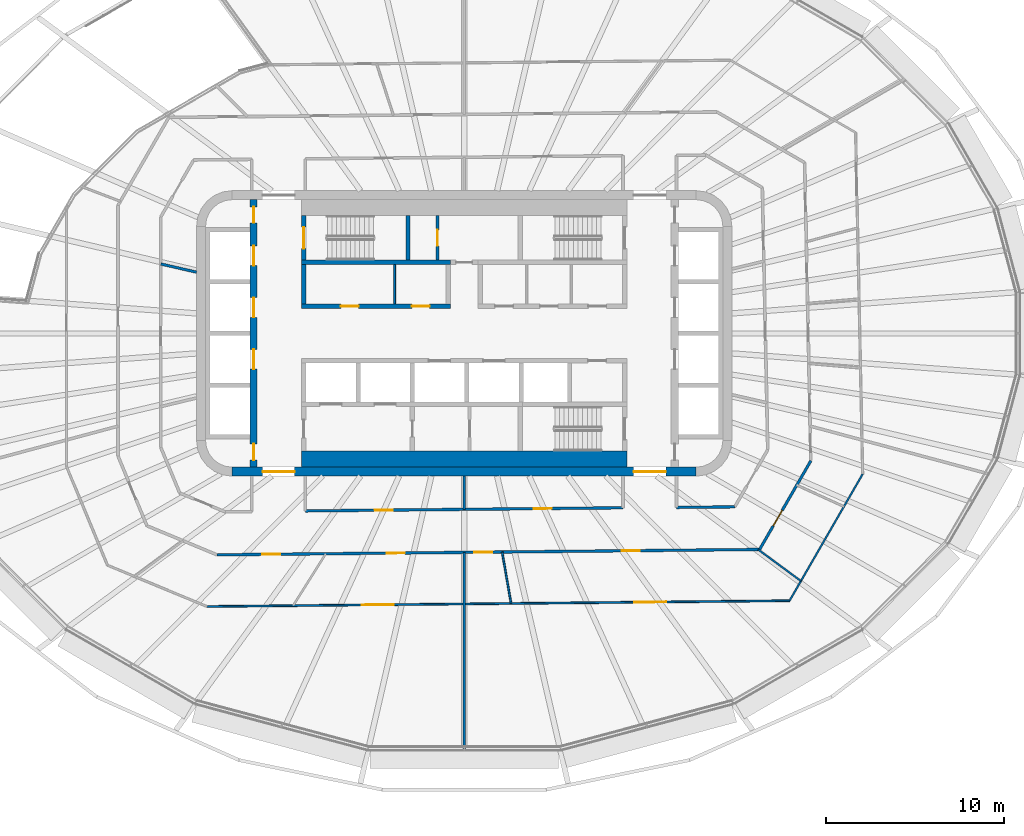
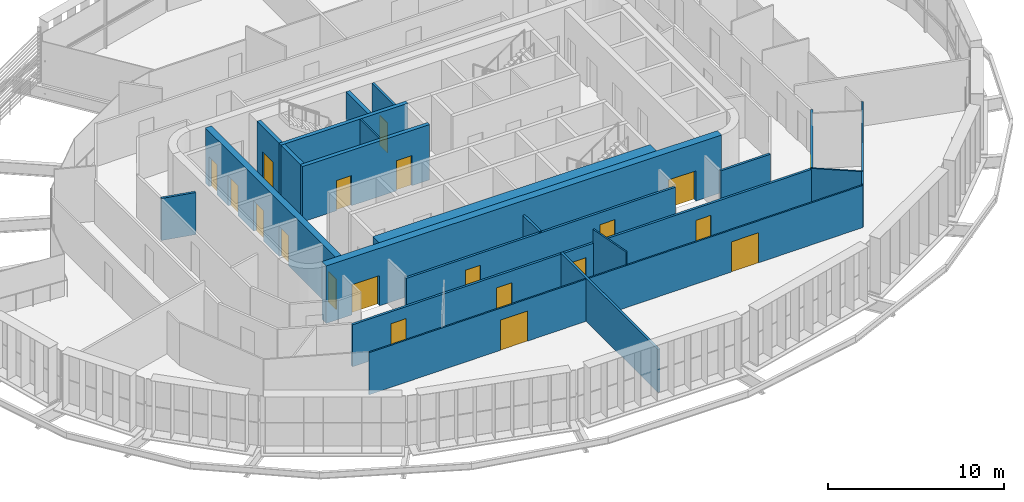
# One storey, part 12 of 23: 21 walls, 20 doors, 20 openings.
"""IFC4 building model written with IfcOpenShell, lengths in metres."""

from ifc_helpers import new_model, si_unit, direction, frame, frame_2d, origin, place, context, subcontext, project, spatial, rectangle, extrude, material, layer, layer_set, type_object, element, fill, save


model = new_model("IFC4")

# Units and contexts
model_context = context("Model", 3, precision=1e-05, world=origin(), true_north=direction((0.0, 1.0)))
body_context = subcontext(model_context, "Body", "Model", "MODEL_VIEW")
ifc_project = project(units=[si_unit("LENGTHUNIT", "METRE"), si_unit("AREAUNIT", "SQUARE_METRE"), si_unit("VOLUMEUNIT", "CUBIC_METRE"), si_unit("PLANEANGLEUNIT", "RADIAN"), si_unit("MASSUNIT", "GRAM", prefix="KILO")], contexts=[model_context])

# Site, building, storey
site_placement = place(None, origin())
site = spatial("IfcSite", under=ifc_project, at=site_placement, CompositionType="ELEMENT")
building_placement = place(site_placement, origin())
building = spatial("IfcBuilding", under=site, at=building_placement, Name="Sahrelin Media Tower", CompositionType="ELEMENT")
storey_placement = place(building_placement, frame((0.0, 0.0, 173.60009765625)))
storey = spatial("IfcBuildingStorey", under=building, at=storey_placement, Name="L36", CompositionType="ELEMENT", Elevation=173.60009765625)

# Wall, openings, doors
ifc_material_1 = material(Name="Concrete C60/75", Category="concrete")
ifc_layer_1 = layer(ifc_material_1, 0.5)
ifc_layer_set_1 = layer_set([ifc_layer_1], Name="Core wall 500")
wall_type_1 = type_object("IfcWallType", Name="Core wall 500", PredefinedType="SHEAR", material=ifc_layer_set_1)
wall_1_placement = place(storey_placement, frame((-13.0, -7.75, 0.0), z_axis=(0.0, 0.0, 1.0), x_axis=(1.0, 0.0, 0.0)))
wall_1 = element("IfcWall", 1, at=wall_1_placement, inside=storey, type_object=wall_type_1, Name="Core wall S L36", PredefinedType="SHEAR", context=body_context, shape_type="SweptSolid", body=[
    extrude(rectangle(XDim=26.0, YDim=0.5, at=frame_2d((13.0, 0.0))), origin(), (0.0, 0.0, 1.0), 4.0),
])
opening_1_placement = place(wall_1_placement, frame((1.699951171875, 0.0, 0.0)))
opening_1 = element("IfcOpeningElement", 2, at=opening_1_placement, cuts=wall_1, Name="Opening L36-D21", PredefinedType="OPENING", context=body_context, shape_type="SweptSolid", body=[
    extrude(rectangle(XDim=1.800048828125, YDim=2.10009765625, at=frame_2d((0.89990234375, 1.050048828125))), frame((0.0, 0.25, 0.0), z_axis=(0.0, -1.0, 0.0), x_axis=(1.0, 0.0, 0.0)), (0.0, 0.0, 1.0), 0.5),
])
opening_2_placement = place(wall_1_placement, frame((22.5, 0.0, 0.0)))
opening_2 = element("IfcOpeningElement", 3, at=opening_2_placement, cuts=wall_1, Name="Opening L36-D22", PredefinedType="OPENING", context=body_context, shape_type="SweptSolid", body=[
    extrude(rectangle(XDim=1.800048828125, YDim=2.10009765625, at=frame_2d((0.89990234375, 1.050048828125))), frame((0.0, 0.25, 0.0), z_axis=(0.0, -1.0, 0.0), x_axis=(1.0, 0.0, 0.0)), (0.0, 0.0, 1.0), 0.5),
])
ifc_material_2 = material(Name="Steel fire door leaf", Category="steel")
door_type_1 = type_object("IfcDoorType", Name="Lobby double door 1800 x 2100 EI 60", OperationType="DOUBLE_DOOR_SINGLE_SWING", PredefinedType="DOOR", material=ifc_material_2)
door_1_placement = place(opening_1_placement, origin())
door_1 = element("IfcDoor", 4, at=door_1_placement, inside=storey, type_object=door_type_1, Name="Lobby door", OperationType="DOUBLE_DOOR_SINGLE_SWING", OverallHeight=2.10009765625, OverallWidth=1.800048828125, PredefinedType="DOOR", context=body_context, shape_type="SweptSolid", body=[
    extrude(rectangle(XDim=1.800048828125, YDim=2.10009765625, at=frame_2d((0.89990234375, 1.050048828125))), frame((0.0, 0.02490234375, 0.0), z_axis=(0.0, -1.0, 0.0), x_axis=(1.0, 0.0, 0.0)), (0.0, 0.0, 1.0), 0.050048828125),
])
fill(opening_1, door_1)
door_2_placement = place(opening_2_placement, origin())
door_2 = element("IfcDoor", 5, at=door_2_placement, inside=storey, type_object=door_type_1, Name="Lobby door", OperationType="DOUBLE_DOOR_SINGLE_SWING", OverallHeight=2.10009765625, OverallWidth=1.800048828125, PredefinedType="DOOR", context=body_context, shape_type="SweptSolid", body=[
    extrude(rectangle(XDim=1.800048828125, YDim=2.10009765625, at=frame_2d((0.89990234375, 1.050048828125))), frame((0.0, 0.02490234375, 0.0), z_axis=(0.0, -1.0, 0.0), x_axis=(1.0, 0.0, 0.0)), (0.0, 0.0, 1.0), 0.050048828125),
])
fill(opening_2, door_2)

ifc_material_3 = material(Name="Fire-rated gypsum board partition")
ifc_layer_2 = layer(ifc_material_3, 0.25)
ifc_layer_set_2 = layer_set([ifc_layer_2], Name="Fire-rated lobby wall 250")
wall_type_2 = type_object("IfcWallType", Name="Fire-rated lobby wall 250", PredefinedType="PARTITIONING", material=ifc_layer_set_2)
wall_2_placement = place(storey_placement, frame((-9.125, 1.52490234375, 0.0), z_axis=(0.0, 0.0, 1.0), x_axis=(1.0, 0.0, 0.0)))
wall_2 = element("IfcWall", 6, at=wall_2_placement, inside=storey, type_object=wall_type_2, Name="Core lobby wall", PredefinedType="PARTITIONING", context=body_context, shape_type="SweptSolid", body=[
    extrude(rectangle(XDim=8.35009765625, YDim=0.25, at=frame_2d((4.175048828125, 0.0))), origin(), (0.0, 0.0, 1.0), 3.849853515625),
])
opening_3_placement = place(wall_2_placement, frame((2.21240234375, 0.0, 0.0)))
opening_3 = element("IfcOpeningElement", 7, at=opening_3_placement, cuts=wall_2, Name="Opening L36-D09", PredefinedType="OPENING", context=body_context, shape_type="SweptSolid", body=[
    extrude(rectangle(XDim=1.0, YDim=2.10009765625, at=frame_2d((0.5, 1.050048828125))), frame((0.0, 0.125, 0.0), z_axis=(0.0, -1.0, 0.0), x_axis=(1.0, 0.0, 0.0)), (0.0, 0.0, 1.0), 0.25),
])
opening_4_placement = place(wall_2_placement, frame((6.1875, 0.0, 0.0)))
opening_4 = element("IfcOpeningElement", 8, at=opening_4_placement, cuts=wall_2, Name="Opening L36-D10", PredefinedType="OPENING", context=body_context, shape_type="SweptSolid", body=[
    extrude(rectangle(XDim=1.0, YDim=2.10009765625, at=frame_2d((0.5, 1.050048828125))), frame((0.0, 0.125, 0.0), z_axis=(0.0, -1.0, 0.0), x_axis=(1.0, 0.0, 0.0)), (0.0, 0.0, 1.0), 0.25),
])
door_type_2 = type_object("IfcDoorType", Name="Fire door 1000 x 2100 EI 60", OperationType="NOTDEFINED", PredefinedType="DOOR", material=ifc_material_2)
door_3_placement = place(opening_3_placement, origin())
door_3 = element("IfcDoor", 9, at=door_3_placement, inside=storey, type_object=door_type_2, Name="Core room door", OperationType="SINGLE_SWING_LEFT", OverallHeight=2.10009765625, OverallWidth=1.0, PredefinedType="DOOR", context=body_context, shape_type="SweptSolid", body=[
    extrude(rectangle(XDim=1.0, YDim=2.10009765625, at=frame_2d((0.5, 1.050048828125))), frame((0.0, 0.02490234375, 0.0), z_axis=(0.0, -1.0, 0.0), x_axis=(1.0, 0.0, 0.0)), (0.0, 0.0, 1.0), 0.050048828125),
])
fill(opening_3, door_3)
door_4_placement = place(opening_4_placement, origin())
door_4 = element("IfcDoor", 10, at=door_4_placement, inside=storey, type_object=door_type_2, Name="Core room door", OperationType="SINGLE_SWING_LEFT", OverallHeight=2.10009765625, OverallWidth=1.0, PredefinedType="DOOR", context=body_context, shape_type="SweptSolid", body=[
    extrude(rectangle(XDim=1.0, YDim=2.10009765625, at=frame_2d((0.5, 1.050048828125))), frame((0.0, 0.02490234375, 0.0), z_axis=(0.0, -1.0, 0.0), x_axis=(1.0, 0.0, 0.0)), (0.0, 0.0, 1.0), 0.050048828125),
])
fill(opening_4, door_4)

# Walls
wall_3_placement = place(storey_placement, frame((-9.0, 1.64990234375, 0.0), z_axis=(0.0, 0.0, 1.0), x_axis=(0.0, 1.0, 0.0)))
element("IfcWall", 11, at=wall_3_placement, inside=storey, type_object=wall_type_2, Name="Core lobby wall", PredefinedType="PARTITIONING", context=body_context, shape_type="SweptSolid", body=[
    extrude(rectangle(XDim=2.2001953125, YDim=0.25, at=frame_2d((1.10009765625, 0.0))), origin(), (0.0, 0.0, 1.0), 3.849853515625),
])
ifc_layer_3 = layer(ifc_material_3, 0.10009765625)
ifc_layer_set_3 = layer_set([ifc_layer_3], Name="Fire-rated partition 100")
wall_type_3 = type_object("IfcWallType", Name="Fire-rated partition 100", PredefinedType="PARTITIONING", material=ifc_layer_set_3)
wall_4_placement = place(storey_placement, frame((-3.89990234375, 1.64990234375, 0.0), z_axis=(0.0, 0.0, 1.0), x_axis=(0.0, 1.0, 0.0)))
element("IfcWall", 12, at=wall_4_placement, inside=storey, type_object=wall_type_3, Name="Core room partition", PredefinedType="PARTITIONING", context=body_context, shape_type="SweptSolid", body=[
    extrude(rectangle(XDim=2.2001953125, YDim=0.10009765625, at=frame_2d((1.10009765625, 0.0))), origin(), (0.0, 0.0, 1.0), 3.849853515625),
])

# Wall, opening, door
ifc_layer_4 = layer(ifc_material_3, 0.14990234375)
ifc_layer_set_4 = layer_set([ifc_layer_4], Name="Fire-rated partition 150")
wall_type_4 = type_object("IfcWallType", Name="Fire-rated partition 150", PredefinedType="PARTITIONING", material=ifc_layer_set_4)
wall_5_placement = place(storey_placement, frame((-1.5, 4.10009765625, 0.0), z_axis=(0.0, 0.0, 1.0), x_axis=(0.0, 1.0, 0.0)))
wall_5 = element("IfcWall", 13, at=wall_5_placement, inside=storey, type_object=wall_type_4, Name="Core room fire partition", PredefinedType="PARTITIONING", context=body_context, shape_type="SweptSolid", body=[
    extrude(rectangle(XDim=2.5, YDim=0.14990234375, at=frame_2d((1.25, 0.0))), origin(), (0.0, 0.0, 1.0), 3.849853515625),
])
opening_5_placement = place(wall_5_placement, frame((0.800048828125, 0.0, 0.0)))
opening_5 = element("IfcOpeningElement", 14, at=opening_5_placement, cuts=wall_5, Name="Opening L36-D07", PredefinedType="OPENING", context=body_context, shape_type="SweptSolid", body=[
    extrude(rectangle(XDim=0.89990234375, YDim=2.10009765625, at=frame_2d((0.449951171875, 1.050048828125))), frame((0.0, 0.074951171875, 0.0), z_axis=(0.0, -1.0, 0.0), x_axis=(1.0, 0.0, 0.0)), (0.0, 0.0, 1.0), 0.14990234375),
])
door_type_3 = type_object("IfcDoorType", Name="Fire door 900 x 2100 EI 60", OperationType="NOTDEFINED", PredefinedType="DOOR", material=ifc_material_2)
door_5_placement = place(opening_5_placement, origin())
door_5 = element("IfcDoor", 15, at=door_5_placement, inside=storey, type_object=door_type_3, Name="Core room door", OperationType="SINGLE_SWING_LEFT", OverallHeight=2.10009765625, OverallWidth=0.89990234375, PredefinedType="DOOR", context=body_context, shape_type="SweptSolid", body=[
    extrude(rectangle(XDim=0.89990234375, YDim=2.10009765625, at=frame_2d((0.449951171875, 1.050048828125))), frame((0.0, 0.02490234375, 0.0), z_axis=(0.0, -1.0, 0.0), x_axis=(1.0, 0.0, 0.0)), (0.0, 0.0, 1.0), 0.050048828125),
])
fill(opening_5, door_5)

# Wall
wall_6_placement = place(storey_placement, frame((-17.0, 3.889892578125, 0.0), z_axis=(0.0, 0.0, 1.0), x_axis=(0.974792736312, -0.223112351146, 0.0)))
element("IfcWall", 16, at=wall_6_placement, inside=storey, type_object=wall_type_4, Name="Wall", PredefinedType="PARTITIONING", context=body_context, shape_type="SweptSolid", body=[
    extrude(rectangle(XDim=2.0517578125, YDim=0.14990234375, at=frame_2d((1.02587890625, 0.0))), origin(), (0.0, 0.0, 1.0), 2.927001953125),
])

# Wall, openings, doors
wall_7_placement = place(storey_placement, frame((-13.85498046875, -12.408935546875, 0.0), z_axis=(0.0, 0.0, 1.0), x_axis=(0.999950929766, 0.009906465589, 0.0)))
wall_7 = element("IfcWall", 17, at=wall_7_placement, inside=storey, type_object=wall_type_4, Name="Wall", PredefinedType="PARTITIONING", context=body_context, shape_type="SweptSolid", body=[
    extrude(rectangle(XDim=30.411376953125, YDim=0.14990234375, at=frame_2d((15.20556640625, 0.0))), origin(), (0.0, 0.0, 1.0), 2.927001953125),
])
opening_6_placement = place(wall_7_placement, frame((2.547119140625, 0.0, 0.0)))
opening_6 = element("IfcOpeningElement", 18, at=opening_6_placement, cuts=wall_7, Name="Opening L36-D34", PredefinedType="OPENING", context=body_context, shape_type="SweptSolid", body=[
    extrude(rectangle(XDim=1.0, YDim=2.10009765625, at=frame_2d((0.5, 1.050048828125))), frame((0.0, 0.074951171875, 0.0), z_axis=(0.0, -1.0, 0.0), x_axis=(1.0, 0.0, 0.0)), (0.0, 0.0, 1.0), 0.14990234375),
])
opening_7_placement = place(wall_7_placement, frame((9.5263671875, 0.0, 0.0)))
opening_7 = element("IfcOpeningElement", 19, at=opening_7_placement, cuts=wall_7, Name="Opening L36-D35", PredefinedType="OPENING", context=body_context, shape_type="SweptSolid", body=[
    extrude(rectangle(XDim=1.0, YDim=2.10009765625, at=frame_2d((0.5, 1.050048828125))), frame((0.0, 0.074951171875, 0.0), z_axis=(0.0, -1.0, 0.0), x_axis=(1.0, 0.0, 0.0)), (0.0, 0.0, 1.0), 0.14990234375),
])
opening_8_placement = place(wall_7_placement, frame((14.419189453125, 0.0, 0.0)))
opening_8 = element("IfcOpeningElement", 20, at=opening_8_placement, cuts=wall_7, Name="Opening L36-D37", PredefinedType="OPENING", context=body_context, shape_type="SweptSolid", body=[
    extrude(rectangle(XDim=1.0, YDim=2.10009765625, at=frame_2d((0.5, 1.050048828125))), frame((0.0, 0.074951171875, 0.0), z_axis=(0.0, -1.0, 0.0), x_axis=(1.0, 0.0, 0.0)), (0.0, 0.0, 1.0), 0.14990234375),
])
opening_9_placement = place(wall_7_placement, frame((22.693603515625, 0.0, 0.0)))
opening_9 = element("IfcOpeningElement", 21, at=opening_9_placement, cuts=wall_7, Name="Opening L36-D38", PredefinedType="OPENING", context=body_context, shape_type="SweptSolid", body=[
    extrude(rectangle(XDim=1.0, YDim=2.10009765625, at=frame_2d((0.5, 1.050048828125))), frame((0.0, 0.074951171875, 0.0), z_axis=(0.0, -1.0, 0.0), x_axis=(1.0, 0.0, 0.0)), (0.0, 0.0, 1.0), 0.14990234375),
])
door_6_placement = place(opening_6_placement, origin())
door_6 = element("IfcDoor", 22, at=door_6_placement, inside=storey, type_object=door_type_2, Name="Fire door", OperationType="SINGLE_SWING_RIGHT", OverallHeight=2.10009765625, OverallWidth=1.0, PredefinedType="DOOR", context=body_context, shape_type="SweptSolid", body=[
    extrude(rectangle(XDim=1.0, YDim=2.10009765625, at=frame_2d((0.5, 1.050048828125))), frame((0.0, 0.02490234375, 0.0), z_axis=(0.0, -1.0, 0.0), x_axis=(1.0, 0.0, 0.0)), (0.0, 0.0, 1.0), 0.050048828125),
])
fill(opening_6, door_6)
door_7_placement = place(opening_7_placement, origin())
door_7 = element("IfcDoor", 23, at=door_7_placement, inside=storey, type_object=door_type_2, Name="Fire door", OperationType="SINGLE_SWING_RIGHT", OverallHeight=2.10009765625, OverallWidth=1.0, PredefinedType="DOOR", context=body_context, shape_type="SweptSolid", body=[
    extrude(rectangle(XDim=1.0, YDim=2.10009765625, at=frame_2d((0.5, 1.050048828125))), frame((0.0, 0.02490234375, 0.0), z_axis=(0.0, -1.0, 0.0), x_axis=(1.0, 0.0, 0.0)), (0.0, 0.0, 1.0), 0.050048828125),
])
fill(opening_7, door_7)
door_8_placement = place(opening_8_placement, origin())
door_8 = element("IfcDoor", 24, at=door_8_placement, inside=storey, type_object=door_type_2, Name="Fire door", OperationType="SINGLE_SWING_RIGHT", OverallHeight=2.10009765625, OverallWidth=1.0, PredefinedType="DOOR", context=body_context, shape_type="SweptSolid", body=[
    extrude(rectangle(XDim=1.0, YDim=2.10009765625, at=frame_2d((0.5, 1.050048828125))), frame((0.0, 0.02490234375, 0.0), z_axis=(0.0, -1.0, 0.0), x_axis=(1.0, 0.0, 0.0)), (0.0, 0.0, 1.0), 0.050048828125),
])
fill(opening_8, door_8)
door_9_placement = place(opening_9_placement, origin())
door_9 = element("IfcDoor", 25, at=door_9_placement, inside=storey, type_object=door_type_2, Name="Fire door", OperationType="SINGLE_SWING_LEFT", OverallHeight=2.10009765625, OverallWidth=1.0, PredefinedType="DOOR", context=body_context, shape_type="SweptSolid", body=[
    extrude(rectangle(XDim=1.0, YDim=2.10009765625, at=frame_2d((0.5, 1.050048828125))), frame((0.0, 0.02490234375, 0.0), z_axis=(0.0, -1.0, 0.0), x_axis=(1.0, 0.0, 0.0)), (0.0, 0.0, 1.0), 0.050048828125),
])
fill(opening_9, door_9)

wall_8_placement = place(storey_placement, frame((-8.89990234375, -9.948974609375, 0.0), z_axis=(0.0, 0.0, 1.0), x_axis=(0.999950969978, 0.009902405776, 0.0)))
wall_8 = element("IfcWall", 26, at=wall_8_placement, inside=storey, type_object=wall_type_4, Name="Wall", PredefinedType="PARTITIONING", context=body_context, shape_type="SweptSolid", body=[
    extrude(rectangle(XDim=17.80078125, YDim=0.14990234375, at=frame_2d((8.900390625, 0.0))), origin(), (0.0, 0.0, 1.0), 2.927001953125),
])
opening_10_placement = place(wall_8_placement, frame((3.900390625, 0.0, 0.0)))
opening_10 = element("IfcOpeningElement", 27, at=opening_10_placement, cuts=wall_8, Name="Opening L36-D23", PredefinedType="OPENING", context=body_context, shape_type="SweptSolid", body=[
    extrude(rectangle(XDim=1.0, YDim=2.10009765625, at=frame_2d((0.5, 1.050048828125))), frame((0.0, 0.074951171875, 0.0), z_axis=(0.0, -1.0, 0.0), x_axis=(1.0, 0.0, 0.0)), (0.0, 0.0, 1.0), 0.14990234375),
])
opening_11_placement = place(wall_8_placement, frame((12.80078125, 0.0, 0.0)))
opening_11 = element("IfcOpeningElement", 28, at=opening_11_placement, cuts=wall_8, Name="Opening L36-D24", PredefinedType="OPENING", context=body_context, shape_type="SweptSolid", body=[
    extrude(rectangle(XDim=1.0, YDim=2.10009765625, at=frame_2d((0.5, 1.050048828125))), frame((0.0, 0.074951171875, 0.0), z_axis=(0.0, -1.0, 0.0), x_axis=(1.0, 0.0, 0.0)), (0.0, 0.0, 1.0), 0.14990234375),
])
door_10_placement = place(opening_10_placement, origin())
door_10 = element("IfcDoor", 29, at=door_10_placement, inside=storey, type_object=door_type_2, Name="Fire door", OperationType="SINGLE_SWING_RIGHT", OverallHeight=2.10009765625, OverallWidth=1.0, PredefinedType="DOOR", context=body_context, shape_type="SweptSolid", body=[
    extrude(rectangle(XDim=1.0, YDim=2.10009765625, at=frame_2d((0.5, 1.050048828125))), frame((0.0, 0.02490234375, 0.0), z_axis=(0.0, -1.0, 0.0), x_axis=(1.0, 0.0, 0.0)), (0.0, 0.0, 1.0), 0.050048828125),
])
fill(opening_10, door_10)
door_11_placement = place(opening_11_placement, origin())
door_11 = element("IfcDoor", 30, at=door_11_placement, inside=storey, type_object=door_type_2, Name="Fire door", OperationType="SINGLE_SWING_LEFT", OverallHeight=2.10009765625, OverallWidth=1.0, PredefinedType="DOOR", context=body_context, shape_type="SweptSolid", body=[
    extrude(rectangle(XDim=1.0, YDim=2.10009765625, at=frame_2d((0.5, 1.050048828125))), frame((0.0, 0.02490234375, 0.0), z_axis=(0.0, -1.0, 0.0), x_axis=(1.0, 0.0, 0.0)), (0.0, 0.0, 1.0), 0.050048828125),
])
fill(opening_11, door_11)

# Wall
wall_9_placement = place(storey_placement, frame((11.89990234375, -9.7529296875, 0.0), z_axis=(0.0, 0.0, 1.0), x_axis=(0.999951172082, 0.009881976096, 0.0)))
element("IfcWall", 31, at=wall_9_placement, inside=storey, type_object=wall_type_4, Name="Wall", PredefinedType="PARTITIONING", context=body_context, shape_type="SweptSolid", body=[
    extrude(rectangle(XDim=3.26123046875, YDim=0.14990234375, at=frame_2d((1.630615234375, 0.0))), origin(), (0.0, 0.0, 1.0), 2.994873046875),
])

# Wall, opening, door
wall_10_placement = place(storey_placement, frame((16.554931640625, -12.10693359375, 0.0), z_axis=(0.0, 0.0, 1.0), x_axis=(0.500279724306, 0.865863844636, 0.0)))
wall_10 = element("IfcWall", 32, at=wall_10_placement, inside=storey, type_object=wall_type_4, Name="Wall", PredefinedType="PARTITIONING", context=body_context, shape_type="SweptSolid", body=[
    extrude(rectangle(XDim=5.738525390625, YDim=0.14990234375, at=frame_2d((2.869140625, 0.0))), origin(), (0.0, 0.0, 1.0), 2.994873046875),
])
opening_12_placement = place(wall_10_placement, frame((1.5224609375, 0.0, 0.0)))
opening_12 = element("IfcOpeningElement", 33, at=opening_12_placement, cuts=wall_10, Name="Opening L36-D39", PredefinedType="OPENING", context=body_context, shape_type="SweptSolid", body=[
    extrude(rectangle(XDim=1.0, YDim=2.10009765625, at=frame_2d((0.5, 1.050048828125))), frame((0.0, 0.074951171875, 0.0), z_axis=(0.0, -1.0, 0.0), x_axis=(1.0, 0.0, 0.0)), (0.0, 0.0, 1.0), 0.14990234375),
])
door_12_placement = place(opening_12_placement, origin())
door_12 = element("IfcDoor", 34, at=door_12_placement, inside=storey, type_object=door_type_2, Name="Fire door", OperationType="SINGLE_SWING_RIGHT", OverallHeight=2.10009765625, OverallWidth=1.0, PredefinedType="DOOR", context=body_context, shape_type="SweptSolid", body=[
    extrude(rectangle(XDim=1.0, YDim=2.10009765625, at=frame_2d((0.5, 1.050048828125))), frame((0.0, 0.02490234375, 0.0), z_axis=(0.0, -1.0, 0.0), x_axis=(1.0, 0.0, 0.0)), (0.0, 0.0, 1.0), 0.050048828125),
])
fill(opening_12, door_12)

# Walls
wall_11_placement = place(storey_placement, frame((0.0, -23.3759765625, 0.0), z_axis=(0.0, 0.0, 1.0), x_axis=(0.0, 1.0, 0.0)))
element("IfcWall", 35, at=wall_11_placement, inside=storey, type_object=wall_type_4, Name="Wall", PredefinedType="PARTITIONING", context=body_context, shape_type="SweptSolid", body=[
    extrude(rectangle(XDim=11.10498046875, YDim=0.14990234375, at=frame_2d((5.552490234375, 0.0))), origin(), (0.0, 0.0, 1.0), 2.994873046875),
])
wall_12_placement = place(storey_placement, frame((0.0, -9.861083984375, 0.0), z_axis=(0.0, 0.0, 1.0), x_axis=(0.0, 1.0, 0.0)))
element("IfcWall", 36, at=wall_12_placement, inside=storey, type_object=wall_type_4, Name="Wall", PredefinedType="PARTITIONING", context=body_context, shape_type="SweptSolid", body=[
    extrude(rectangle(XDim=1.861083984375, YDim=0.14990234375, at=frame_2d((0.9306640625, 0.0))), origin(), (0.0, 0.0, 1.0), 2.994873046875),
])

# Wall, openings, doors
ifc_layer_5 = layer(ifc_material_1, 0.39990234375)
ifc_layer_set_5 = layer_set([ifc_layer_5], Name="Lift shaft wall 400")
wall_type_5 = type_object("IfcWallType", Name="Lift shaft wall 400", PredefinedType="SOLIDWALL", material=ifc_layer_set_5)
wall_13_placement = place(storey_placement, frame((-11.800048828125, -7.5, 0.0), z_axis=(0.0, 0.0, 1.0), x_axis=(0.0, 1.0, 0.0)))
wall_13 = element("IfcWall", 37, at=wall_13_placement, inside=storey, type_object=wall_type_5, Name="Lift shaft wall", PredefinedType="SOLIDWALL", context=body_context, shape_type="SweptSolid", body=[
    extrude(rectangle(XDim=15.0, YDim=0.39990234375, at=frame_2d((7.5, 0.0))), origin(), (0.0, 0.0, 1.0), 3.849853515625),
])
opening_13_placement = place(wall_13_placement, frame((11.300048828125, 0.0, 0.0)))
opening_13 = element("IfcOpeningElement", 38, at=opening_13_placement, cuts=wall_13, Name="Opening L36-LD-LR1", PredefinedType="OPENING", context=body_context, shape_type="SweptSolid", body=[
    extrude(rectangle(XDim=1.10009765625, YDim=2.10009765625, at=frame_2d((0.550048828125, 1.050048828125))), frame((0.0, 0.199951171875, 0.0), z_axis=(0.0, -1.0, 0.0), x_axis=(1.0, 0.0, 0.0)), (0.0, 0.0, 1.0), 0.39990234375),
])
opening_14_placement = place(wall_13_placement, frame((8.39990234375, 0.0, 0.0)))
opening_14 = element("IfcOpeningElement", 39, at=opening_14_placement, cuts=wall_13, Name="Opening L36-LD-LR2", PredefinedType="OPENING", context=body_context, shape_type="SweptSolid", body=[
    extrude(rectangle(XDim=1.10009765625, YDim=2.10009765625, at=frame_2d((0.550048828125, 1.050048828125))), frame((0.0, 0.199951171875, 0.0), z_axis=(0.0, -1.0, 0.0), x_axis=(1.0, 0.0, 0.0)), (0.0, 0.0, 1.0), 0.39990234375),
])
opening_15_placement = place(wall_13_placement, frame((5.5, 0.0, 0.0)))
opening_15 = element("IfcOpeningElement", 40, at=opening_15_placement, cuts=wall_13, Name="Opening L36-LD-LR3", PredefinedType="OPENING", context=body_context, shape_type="SweptSolid", body=[
    extrude(rectangle(XDim=1.10009765625, YDim=2.10009765625, at=frame_2d((0.550048828125, 1.050048828125))), frame((0.0, 0.199951171875, 0.0), z_axis=(0.0, -1.0, 0.0), x_axis=(1.0, 0.0, 0.0)), (0.0, 0.0, 1.0), 0.39990234375),
])
opening_16_placement = place(wall_13_placement, frame((13.696533203125, 0.0, 0.0)))
opening_16 = element("IfcOpeningElement", 41, at=opening_16_placement, cuts=wall_13, Name="Opening L36-D15", PredefinedType="OPENING", context=body_context, shape_type="SweptSolid", body=[
    extrude(rectangle(XDim=0.89990234375, YDim=2.10009765625, at=frame_2d((0.449951171875, 1.050048828125))), frame((0.0, 0.199951171875, 0.0), z_axis=(0.0, -1.0, 0.0), x_axis=(1.0, 0.0, 0.0)), (0.0, 0.0, 1.0), 0.39990234375),
])
opening_17_placement = place(wall_13_placement, frame((0.4033203125, 0.0, 0.0)))
opening_17 = element("IfcOpeningElement", 42, at=opening_17_placement, cuts=wall_13, Name="Opening L36-D16", PredefinedType="OPENING", context=body_context, shape_type="SweptSolid", body=[
    extrude(rectangle(XDim=0.89990234375, YDim=2.10009765625, at=frame_2d((0.449951171875, 1.050048828125))), frame((0.0, 0.199951171875, 0.0), z_axis=(0.0, -1.0, 0.0), x_axis=(1.0, 0.0, 0.0)), (0.0, 0.0, 1.0), 0.39990234375),
])
ifc_material_4 = material(Name="Stainless steel", Category="steel")
door_type_4 = type_object("IfcDoorType", Name="Lift landing door 1100 x 2100 EI 120", OperationType="DOUBLE_DOOR_SLIDING", PredefinedType="DOOR", material=ifc_material_4)
door_13_placement = place(opening_13_placement, origin())
door_13 = element("IfcDoor", 43, at=door_13_placement, inside=storey, type_object=door_type_4, Name="Lift landing door LR1", OperationType="DOUBLE_DOOR_SLIDING", OverallHeight=2.10009765625, OverallWidth=1.10009765625, PredefinedType="DOOR", context=body_context, shape_type="SweptSolid", body=[
    extrude(rectangle(XDim=1.10009765625, YDim=2.10009765625, at=frame_2d((0.550048828125, 1.050048828125))), frame((0.0, 0.02490234375, 0.0), z_axis=(0.0, -1.0, 0.0), x_axis=(1.0, 0.0, 0.0)), (0.0, 0.0, 1.0), 0.050048828125),
])
fill(opening_13, door_13)
door_14_placement = place(opening_14_placement, origin())
door_14 = element("IfcDoor", 44, at=door_14_placement, inside=storey, type_object=door_type_4, Name="Lift landing door LR2", OperationType="DOUBLE_DOOR_SLIDING", OverallHeight=2.10009765625, OverallWidth=1.10009765625, PredefinedType="DOOR", context=body_context, shape_type="SweptSolid", body=[
    extrude(rectangle(XDim=1.10009765625, YDim=2.10009765625, at=frame_2d((0.550048828125, 1.050048828125))), frame((0.0, 0.02490234375, 0.0), z_axis=(0.0, -1.0, 0.0), x_axis=(1.0, 0.0, 0.0)), (0.0, 0.0, 1.0), 0.050048828125),
])
fill(opening_14, door_14)
door_15_placement = place(opening_15_placement, origin())
door_15 = element("IfcDoor", 45, at=door_15_placement, inside=storey, type_object=door_type_4, Name="Lift landing door LR3", OperationType="DOUBLE_DOOR_SLIDING", OverallHeight=2.10009765625, OverallWidth=1.10009765625, PredefinedType="DOOR", context=body_context, shape_type="SweptSolid", body=[
    extrude(rectangle(XDim=1.10009765625, YDim=2.10009765625, at=frame_2d((0.550048828125, 1.050048828125))), frame((0.0, 0.02490234375, 0.0), z_axis=(0.0, -1.0, 0.0), x_axis=(1.0, 0.0, 0.0)), (0.0, 0.0, 1.0), 0.050048828125),
])
fill(opening_15, door_15)
door_type_5 = type_object("IfcDoorType", Name="Riser door 900 x 2100 EI 120", OperationType="NOTDEFINED", PredefinedType="DOOR", material=ifc_material_2)
door_16_placement = place(opening_16_placement, origin())
door_16 = element("IfcDoor", 46, at=door_16_placement, inside=storey, type_object=door_type_5, Name="Riser door", OperationType="SINGLE_SWING_LEFT", OverallHeight=2.10009765625, OverallWidth=0.89990234375, PredefinedType="DOOR", context=body_context, shape_type="SweptSolid", body=[
    extrude(rectangle(XDim=0.89990234375, YDim=2.10009765625, at=frame_2d((0.449951171875, 1.050048828125))), frame((0.0, 0.02490234375, 0.0), z_axis=(0.0, -1.0, 0.0), x_axis=(1.0, 0.0, 0.0)), (0.0, 0.0, 1.0), 0.050048828125),
])
fill(opening_16, door_16)
door_17_placement = place(opening_17_placement, origin())
door_17 = element("IfcDoor", 47, at=door_17_placement, inside=storey, type_object=door_type_5, Name="Riser door", OperationType="SINGLE_SWING_LEFT", OverallHeight=2.10009765625, OverallWidth=0.89990234375, PredefinedType="DOOR", context=body_context, shape_type="SweptSolid", body=[
    extrude(rectangle(XDim=0.89990234375, YDim=2.10009765625, at=frame_2d((0.449951171875, 1.050048828125))), frame((0.0, 0.02490234375, 0.0), z_axis=(0.0, -1.0, 0.0), x_axis=(1.0, 0.0, 0.0)), (0.0, 0.0, 1.0), 0.050048828125),
])
fill(opening_17, door_17)

# Walls
ifc_material_5 = material(Name="Gypsum board partition")
ifc_layer_6 = layer(ifc_material_5, 0.10009765625)
ifc_layer_set_6 = layer_set([ifc_layer_6], Name="Partition 100")
wall_type_6 = type_object("IfcWallType", Name="Partition 100", PredefinedType="PARTITIONING", material=ifc_layer_set_6)
wall_14_placement = place(storey_placement, frame((2.1259765625, -12.25, 0.0), z_axis=(0.0, 0.0, 1.0), x_axis=(0.17076405782, -0.985311948855, 0.0)))
element("IfcWall", 48, at=wall_14_placement, inside=storey, type_object=wall_type_6, Name="Wall", PredefinedType="PARTITIONING", context=body_context, shape_type="SweptSolid", body=[
    extrude(rectangle(XDim=2.927978515625, YDim=0.10009765625, at=frame_2d((1.4638671875, 0.0))), origin(), (0.0, 0.0, 1.0), 3.849853515625),
])
wall_15_placement = place(storey_placement, frame((16.466064453125, -12.10791015625, 0.0), z_axis=(0.0, 0.0, 1.0), x_axis=(0.805590144162, -0.59247322271, 0.0)))
element("IfcWall", 49, at=wall_15_placement, inside=storey, type_object=wall_type_6, Name="Wall", PredefinedType="PARTITIONING", context=body_context, shape_type="SweptSolid", body=[
    extrude(rectangle(XDim=2.984130859375, YDim=0.10009765625, at=frame_2d((1.4921875, 0.0))), origin(), (0.0, 0.0, 1.0), 2.994873046875),
])

# Wall, openings, doors
wall_16_placement = place(storey_placement, frame((-14.4169921875, -15.304931640625, 0.0), z_axis=(0.0, 0.0, 1.0), x_axis=(0.999950476631, 0.009952099574, 0.0)))
wall_16 = element("IfcWall", 50, at=wall_16_placement, inside=storey, type_object=wall_type_6, Name="Wall", PredefinedType="PARTITIONING", context=body_context, shape_type="SweptSolid", body=[
    extrude(rectangle(XDim=32.651611328125, YDim=0.10009765625, at=frame_2d((16.32568359375, 0.0))), origin(), (0.0, 0.0, 1.0), 2.927001953125),
])
opening_18_placement = place(wall_16_placement, frame((8.67236328125, 0.0, 0.0)))
opening_18 = element("IfcOpeningElement", 51, at=opening_18_placement, cuts=wall_16, Name="Opening L36-D36", PredefinedType="OPENING", context=body_context, shape_type="SweptSolid", body=[
    extrude(rectangle(XDim=1.800048828125, YDim=2.10009765625, at=frame_2d((0.89990234375, 1.050048828125))), frame((0.0, 0.050048828125, 0.0), z_axis=(0.0, -1.0, 0.0), x_axis=(1.0, 0.0, 0.0)), (0.0, 0.0, 1.0), 0.10009765625),
])
opening_19_placement = place(wall_16_placement, frame((23.947998046875, 0.0, 0.0)))
opening_19 = element("IfcOpeningElement", 52, at=opening_19_placement, cuts=wall_16, Name="Opening L36-D41", PredefinedType="OPENING", context=body_context, shape_type="SweptSolid", body=[
    extrude(rectangle(XDim=1.800048828125, YDim=2.10009765625, at=frame_2d((0.89990234375, 1.050048828125))), frame((0.0, 0.050048828125, 0.0), z_axis=(0.0, -1.0, 0.0), x_axis=(1.0, 0.0, 0.0)), (0.0, 0.0, 1.0), 0.10009765625),
])
ifc_material_6 = material(Name="Timber door leaf", Category="wood")
door_type_6 = type_object("IfcDoorType", Name="Double door 1800 x 2100", OperationType="DOUBLE_DOOR_SINGLE_SWING", PredefinedType="DOOR", material=ifc_material_6)
door_18_placement = place(opening_18_placement, origin())
door_18 = element("IfcDoor", 53, at=door_18_placement, inside=storey, type_object=door_type_6, Name="Double door", OperationType="DOUBLE_DOOR_SINGLE_SWING", OverallHeight=2.10009765625, OverallWidth=1.800048828125, PredefinedType="DOOR", context=body_context, shape_type="SweptSolid", body=[
    extrude(rectangle(XDim=1.800048828125, YDim=2.10009765625, at=frame_2d((0.89990234375, 1.050048828125))), frame((0.0, 0.02490234375, 0.0), z_axis=(0.0, -1.0, 0.0), x_axis=(1.0, 0.0, 0.0)), (0.0, 0.0, 1.0), 0.050048828125),
])
fill(opening_18, door_18)
door_19_placement = place(opening_19_placement, origin())
door_19 = element("IfcDoor", 54, at=door_19_placement, inside=storey, type_object=door_type_6, Name="Double door", OperationType="DOUBLE_DOOR_SINGLE_SWING", OverallHeight=2.10009765625, OverallWidth=1.800048828125, PredefinedType="DOOR", context=body_context, shape_type="SweptSolid", body=[
    extrude(rectangle(XDim=1.800048828125, YDim=2.10009765625, at=frame_2d((0.89990234375, 1.050048828125))), frame((0.0, 0.02490234375, 0.0), z_axis=(0.0, -1.0, 0.0), x_axis=(1.0, 0.0, 0.0)), (0.0, 0.0, 1.0), 0.050048828125),
])
fill(opening_19, door_19)

# Wall
wall_17_placement = place(storey_placement, frame((18.23291015625, -14.97998046875, 0.0), z_axis=(0.0, 0.0, 1.0), x_axis=(0.499914179464, 0.866074946625, 0.0)))
element("IfcWall", 55, at=wall_17_placement, inside=storey, type_object=wall_type_6, Name="Wall", PredefinedType="PARTITIONING", context=body_context, shape_type="SweptSolid", body=[
    extrude(rectangle(XDim=8.19384765625, YDim=0.10009765625, at=frame_2d((4.096923828125, 0.0))), origin(), (0.0, 0.0, 1.0), 2.994873046875),
])

# Wall, opening, door
ifc_layer_7 = layer(ifc_material_1, 0.25)
ifc_layer_set_7 = layer_set([ifc_layer_7], Name="Stair enclosure wall 250")
wall_type_7 = type_object("IfcWallType", Name="Stair enclosure wall 250", PredefinedType="SOLIDWALL", material=ifc_layer_set_7)
wall_18_placement = place(storey_placement, frame((-9.0, 4.10009765625, 0.0), z_axis=(0.0, 0.0, 1.0), x_axis=(0.0, 1.0, 0.0)))
wall_18 = element("IfcWall", 56, at=wall_18_placement, inside=storey, type_object=wall_type_7, Name="Stair enclosure wall", PredefinedType="SOLIDWALL", context=body_context, shape_type="SweptSolid", body=[
    extrude(rectangle(XDim=2.5, YDim=0.25, at=frame_2d((1.25, 0.0))), origin(), (0.0, 0.0, 1.0), 3.849853515625),
])
opening_20_placement = place(wall_18_placement, frame((0.64990234375, 0.0, 0.0)))
opening_20 = element("IfcOpeningElement", 57, at=opening_20_placement, cuts=wall_18, Name="Opening L36-D01", PredefinedType="OPENING", context=body_context, shape_type="SweptSolid", body=[
    extrude(rectangle(XDim=1.199951171875, YDim=2.10009765625, at=frame_2d((0.60009765625, 1.050048828125))), frame((0.0, 0.125, 0.0), z_axis=(0.0, -1.0, 0.0), x_axis=(1.0, 0.0, 0.0)), (0.0, 0.0, 1.0), 0.25),
])
door_type_7 = type_object("IfcDoorType", Name="Stair door 1200 x 2100 EI 120", OperationType="NOTDEFINED", PredefinedType="DOOR", material=ifc_material_2)
door_20_placement = place(opening_20_placement, origin())
door_20 = element("IfcDoor", 58, at=door_20_placement, inside=storey, type_object=door_type_7, Name="Stair door ST1", OperationType="SINGLE_SWING_RIGHT", OverallHeight=2.10009765625, OverallWidth=1.199951171875, PredefinedType="DOOR", context=body_context, shape_type="SweptSolid", body=[
    extrude(rectangle(XDim=1.199951171875, YDim=2.10009765625, at=frame_2d((0.60009765625, 1.050048828125))), frame((0.0, 0.02490234375, 0.0), z_axis=(0.0, -1.0, 0.0), x_axis=(1.0, 0.0, 0.0)), (0.0, 0.0, 1.0), 0.050048828125),
])
fill(opening_20, door_20)

# Walls
wall_19_placement = place(storey_placement, frame((-3.14990234375, 4.10009765625, 0.0), z_axis=(0.0, 0.0, 1.0), x_axis=(0.0, 1.0, 0.0)))
element("IfcWall", 59, at=wall_19_placement, inside=storey, type_object=wall_type_7, Name="Stair enclosure wall", PredefinedType="SOLIDWALL", context=body_context, shape_type="SweptSolid", body=[
    extrude(rectangle(XDim=2.5, YDim=0.25, at=frame_2d((1.25, 0.0))), origin(), (0.0, 0.0, 1.0), 3.849853515625),
])
wall_20_placement = place(storey_placement, frame((-9.125, 3.97509765625, 0.0), z_axis=(0.0, 0.0, 1.0), x_axis=(1.0, 0.0, 0.0)))
element("IfcWall", 60, at=wall_20_placement, inside=storey, type_object=wall_type_7, Name="Stair enclosure wall", PredefinedType="SOLIDWALL", context=body_context, shape_type="SweptSolid", body=[
    extrude(rectangle(XDim=8.35009765625, YDim=0.25, at=frame_2d((4.175048828125, 0.0))), origin(), (0.0, 0.0, 1.0), 3.849853515625),
])
ifc_layer_8 = layer(ifc_material_1, 0.89990234375)
ifc_layer_set_8 = layer_set([ifc_layer_8], Name="Stair enclosure wall 900")
wall_type_8 = type_object("IfcWallType", Name="Stair enclosure wall 900", PredefinedType="SOLIDWALL", material=ifc_layer_set_8)
wall_21_placement = place(storey_placement, frame((-9.125, -7.050048828125, 0.0), z_axis=(0.0, 0.0, 1.0), x_axis=(1.0, 0.0, 0.0)))
element("IfcWall", 61, at=wall_21_placement, inside=storey, type_object=wall_type_8, Name="Stair enclosure wall", PredefinedType="SOLIDWALL", context=body_context, shape_type="SweptSolid", body=[
    extrude(rectangle(XDim=18.25, YDim=0.89990234375, at=frame_2d((9.125, 0.0))), origin(), (0.0, 0.0, 1.0), 3.849853515625),
])

save(model, "model.ifc")
